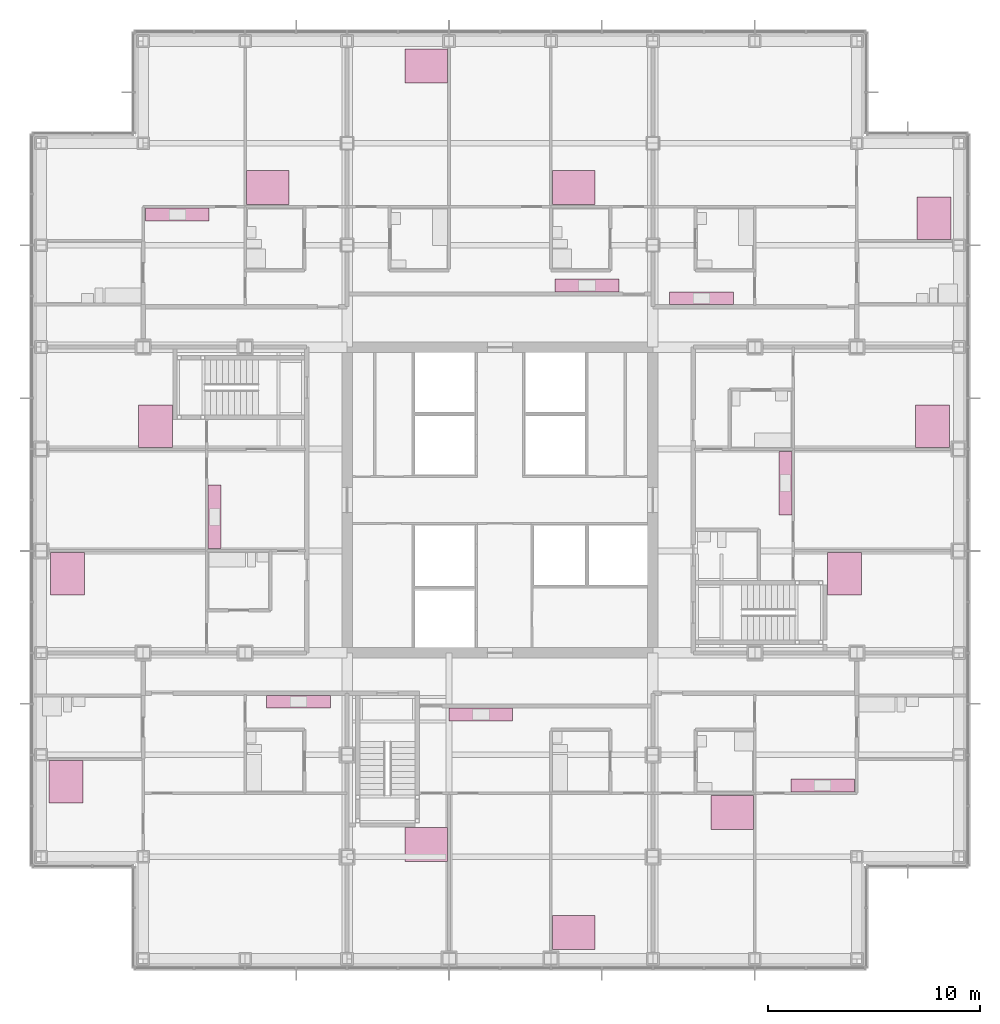
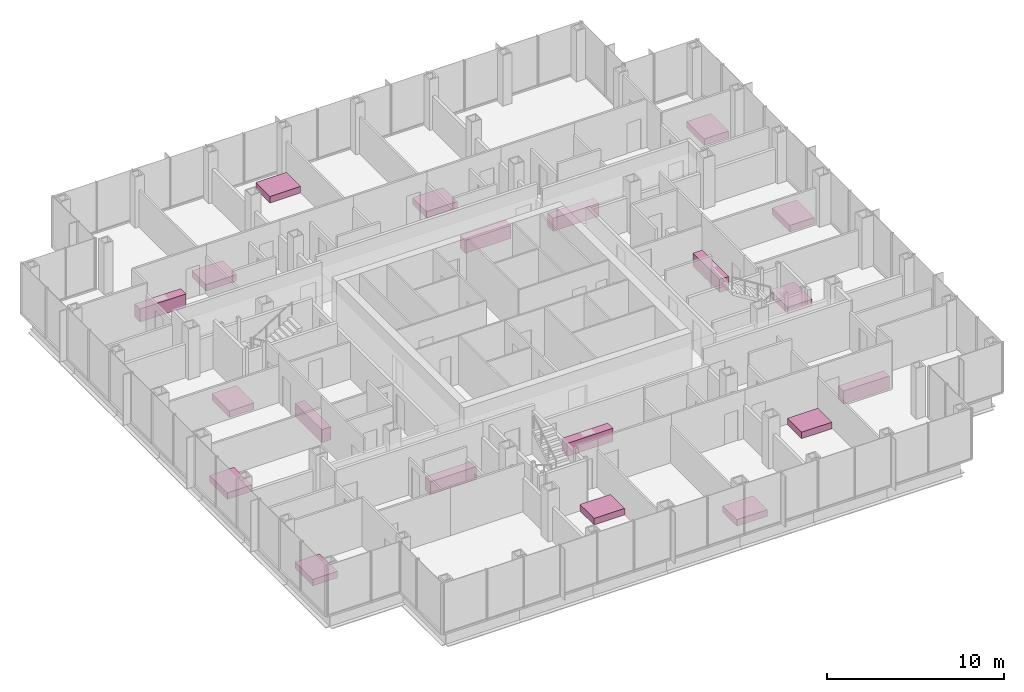
# One storey, part 21 of 21: 20 furniture elements.
"""IFC4 building model written with IfcOpenShell, lengths in metres."""

from ifc_helpers import new_model, si_unit, direction, frame, origin, origin_2d, place, context, subcontext, project, spatial, rectangle, extrude, material, type_object, element, save


model = new_model("IFC4")

# Units and contexts
model_context = context("Model", 3, precision=1e-05, world=origin(), true_north=direction((0.0, 1.0)))
body_context = subcontext(model_context, "Body", "Model", "MODEL_VIEW")
ifc_project = project(units=[si_unit("LENGTHUNIT", "METRE"), si_unit("AREAUNIT", "SQUARE_METRE"), si_unit("VOLUMEUNIT", "CUBIC_METRE"), si_unit("PLANEANGLEUNIT", "RADIAN"), si_unit("MASSUNIT", "GRAM", prefix="KILO")], contexts=[model_context])

# Site, building, storey
site_placement = place(None, origin())
site = spatial("IfcSite", under=ifc_project, at=site_placement, CompositionType="ELEMENT")
building_placement = place(site_placement, origin())
building = spatial("IfcBuilding", under=site, at=building_placement, Name="Kvirike Care Tower", CompositionType="ELEMENT")
storey_placement = place(building_placement, frame((0.0, 0.0, 62.0)))
storey = spatial("IfcBuildingStorey", under=building, at=storey_placement, Name="L16", CompositionType="ELEMENT", Elevation=62.0)

# Furniture
ifc_material_1 = material(Name="Timber", Category="wood")
furniture_type_1 = type_object("IfcFurnitureType", Name="DOUBLE BED 1600 x 2000", AssemblyPlace="FACTORY", PredefinedType="BED", material=ifc_material_1)
for number, where, z_axis, x_axis, name in (
    (1, (1.169921875, 22.738037109375, 0.0), (0.0, 0.0, 1.0), (1.0, 0.0, 0.0), "Double bed L16-002"),
    (2, (5.389892578125, 39.4619140625, 0.0), (0.0, 0.0, 1.0), (-1.0, 0.0, 0.0), "Double bed L16-010"),
    (3, (1.2451171875, 32.5380859375, 0.0), (0.0, 0.0, 1.0), (1.0, 0.0, 0.0), "Double bed L16-012"),
    (4, (10.662109375, 50.7099609375, 0.0), (0.0, 0.0, 1.0), (0.0, 1.0, 0.0), "Double bed L16-018"),
    (5, (18.137939453125, 19.7900390625, 0.0), (0.0, 0.0, 1.0), (0.0, -1.0, 0.0), "Double bed L16-026"),
    (6, (25.06201171875, 15.64501953125, 0.0), (0.0, 0.0, 1.0), (0.0, 1.0, 0.0), "Double bed L16-028"),
    (7, (25.06201171875, 50.7099609375, 0.0), (0.0, 0.0, 1.0), (0.0, 1.0, 0.0), "Double bed L16-032"),
    (8, (18.137939453125, 56.429931640625, 0.0), (0.0, 0.0, 1.0), (0.0, -1.0, 0.0), "Double bed L16-034"),
    (9, (32.5380859375, 21.2900390625, 0.0), (0.0, 0.0, 1.0), (0.0, -1.0, 0.0), "Double bed L16-039"),
    (10, (37.81005859375, 32.5380859375, 0.0), (0.0, 0.0, 1.0), (1.0, 0.0, 0.0), "Double bed L16-047"),
    (11, (41.955078125, 39.4619140625, 0.0), (0.0, 0.0, 1.0), (-1.0, 0.0, 0.0), "Double bed L16-049"),
    (12, (42.030029296875, 49.261962890625, 0.0), (0.0, 0.0, 1.0), (-1.0, 0.0, 0.0), "Double bed L16-055"),
):
    element("IfcFurniture", number, at=place(storey_placement, frame(where, z_axis=z_axis, x_axis=x_axis)), inside=storey, type_object=furniture_type_1, Name=name, PredefinedType="BED", context=body_context, shape_type="SweptSolid", body=[
        extrude(rectangle(XDim=1.60009765625, YDim=2.0, at=origin_2d()), origin(), (0.0, 0.0, 1.0), 0.449951171875),
    ])
ifc_material_2 = material(Name="Laminated board", Category="wood")
furniture_type_2 = type_object("IfcFurnitureType", Name="KITCHEN UNIT RUN 600", AssemblyPlace="FACTORY", PredefinedType="USERDEFINED", material=ifc_material_2)
for number, where, z_axis, x_axis, name in (
    (13, (12.110107421875, 26.498046875, 0.0), (0.0, 0.0, 1.0), (1.0, 0.0, 0.0), "Kitchen unit run L16-007"),
    (14, (8.162109375, 35.2099609375, 0.0), (0.0, 0.0, 1.0), (0.0, 1.0, 0.0), "Kitchen unit run L16-015"),
    (15, (6.409912109375, 49.43798828125, 0.0), (0.0, 0.0, 1.0), (1.0, 0.0, 0.0), "Kitchen unit run L16-023"),
    (16, (20.699951171875, 25.89794921875, 0.0), (0.0, 0.0, 1.0), (1.0, 0.0, 0.0), "Kitchen unit run L16-030"),
    (17, (25.699951171875, 46.10205078125, 0.0), (0.0, 0.0, 1.0), (-1.0, 0.0, 0.0), "Kitchen unit run L16-037"),
    (18, (36.7900390625, 22.56201171875, 0.0), (0.0, 0.0, 1.0), (-1.0, 0.0, 0.0), "Kitchen unit run L16-044"),
    (19, (35.0380859375, 36.7900390625, 0.0), (0.0, 0.0, 1.0), (0.0, -1.0, 0.0), "Kitchen unit run L16-052"),
    (20, (31.090087890625, 45.501953125, 0.0), (0.0, 0.0, 1.0), (-1.0, 0.0, 0.0), "Kitchen unit run L16-060"),
):
    element("IfcFurniture", number, at=place(storey_placement, frame(where, z_axis=z_axis, x_axis=x_axis)), inside=storey, type_object=furniture_type_2, Name=name, ObjectType="KITCHEN UNIT", PredefinedType="USERDEFINED", context=body_context, shape_type="SweptSolid", body=[
        extrude(rectangle(XDim=3.0, YDim=0.60009765625, at=origin_2d()), origin(), (0.0, 0.0, 1.0), 0.89990234375),
    ])

save(model, "model.ifc")
